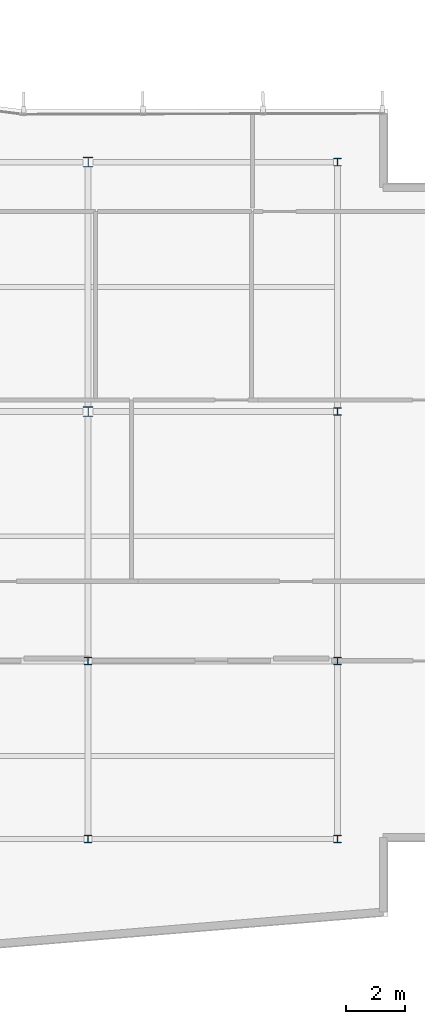
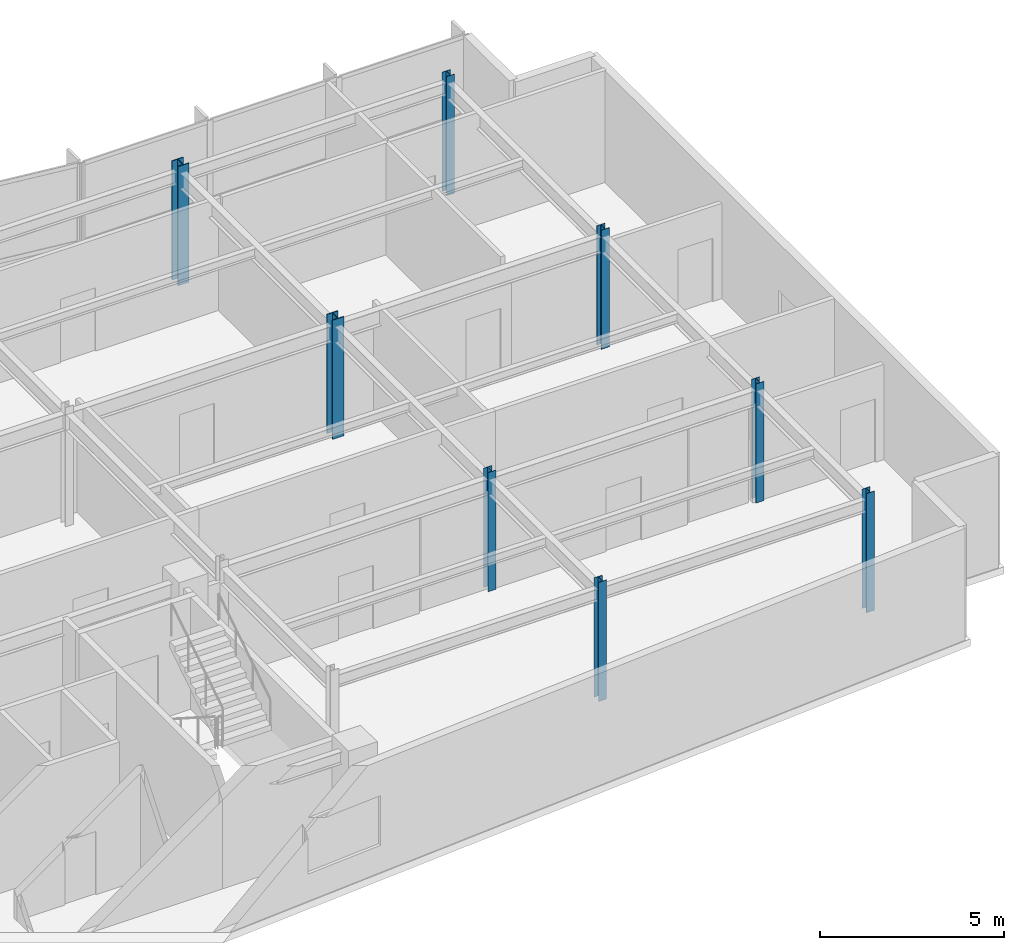
# One storey, part 3 of 15: 8 columns.
"""IFC4 building model written with IfcOpenShell, lengths in metres."""

import ifcopenshell
import ifcopenshell.guid

model = None  # the IFC model being written
_history = None  # IfcOwnerHistory: only IFC2X3 demands one
_inside = {}  # id of a spatial element -> (the spatial element, [elements in it])
_under = {}  # id of a project, library or spatial element -> (it, [spatial elements below it])
_declared = {}  # id of a project -> (the project, [libraries it declares])
_typed = {}  # id of a type object -> (the type object, [elements of that type])
_made_of = {}  # id of a material, layer set ... -> (it, [elements and type objects made of it])


def new_model(schema):
    """Start an empty IFC model of exactly this schema.

    Asked for "IFC4X3", IfcOpenShell would pick the latest addendum, in which some entities
    have other attributes; the version numbers below select the first issue.
    IFC2X3 requires an IfcOwnerHistory on every rooted entity: one is made here for all.
    """
    global model, _history
    if schema == "IFC4X3":
        model = ifcopenshell.file(schema_version=(4, 3, 0, 0))
    else:
        model = ifcopenshell.file(schema=schema)
    _inside.clear()
    _under.clear()
    _declared.clear()
    _typed.clear()
    _made_of.clear()
    _history = None
    if model.schema == "IFC2X3":
        org = make("IfcOrganization", Name="unknown")
        user = make(
            "IfcPersonAndOrganization",
            ThePerson=make("IfcPerson", FamilyName="unknown"),
            TheOrganization=org,
        )
        app = make(
            "IfcApplication",
            ApplicationDeveloper=org,
            Version="unknown",
            ApplicationFullName="unknown",
            ApplicationIdentifier="unknown",
        )
        _history = make(
            "IfcOwnerHistory",
            OwningUser=user,
            OwningApplication=app,
            ChangeAction="ADDED",
            CreationDate=0,
        )
    return model


def make(cls, **values):
    """One entity of the class cls with the attributes given. An attribute that is None is left unset."""
    return model.create_entity(
        cls, **{name: value for name, value in values.items() if value is not None}
    )


def rooted(cls, **values):
    """An entity with a GlobalId (a new one), such as an element, a storey or a relation."""
    return make(cls, GlobalId=ifcopenshell.guid.new(), OwnerHistory=_history, **values)


def si_unit(unit_type, name, prefix=None):
    """IfcSIUnit, for example si_unit("LENGTHUNIT", "METRE", prefix="MILLI")."""
    return make("IfcSIUnit", UnitType=unit_type, Prefix=prefix, Name=name)


def assignment(units):
    """IfcUnitAssignment: the units of a project."""
    return None if units is None else make("IfcUnitAssignment", Units=units)


def point(xyz):
    """IfcCartesianPoint."""
    return None if xyz is None else make("IfcCartesianPoint", Coordinates=xyz)


def direction(xyz):
    """IfcDirection."""
    return None if xyz is None else make("IfcDirection", DirectionRatios=xyz)


def frame(location, z_axis=None, x_axis=None):
    """IfcAxis2Placement3D, a coordinate frame: its origin and axes. An axis left out is left unset."""
    return make(
        "IfcAxis2Placement3D",
        Location=point(location),
        Axis=direction(z_axis),
        RefDirection=direction(x_axis),
    )


def frame_2d(location, x_axis=None):
    """IfcAxis2Placement2D, a coordinate frame in the plane: its origin and x axis."""
    return make(
        "IfcAxis2Placement2D", Location=point(location), RefDirection=direction(x_axis)
    )


def origin():
    """The frame at (0, 0, 0) with its axes left unset."""
    return frame((0.0, 0.0, 0.0))


def origin_2d():
    """The frame at (0, 0) in the plane with its x axis left unset."""
    return frame_2d((0.0, 0.0))


def place(relative_to, where):
    """IfcLocalPlacement: puts the frame where relative to a parent placement (None: the world)."""
    return make(
        "IfcLocalPlacement", PlacementRelTo=relative_to, RelativePlacement=where
    )


def context(
    kind, dimensions, precision=None, world=None, true_north=None, identifier=None
):
    """IfcGeometricRepresentationContext, for example the 3D "Model" context."""
    return make(
        "IfcGeometricRepresentationContext",
        ContextIdentifier=identifier,
        ContextType=kind,
        CoordinateSpaceDimension=dimensions,
        Precision=precision,
        WorldCoordinateSystem=world,
        TrueNorth=true_north,
    )


def subcontext(parent, identifier, kind, view, scale=None):
    """IfcGeometricRepresentationSubContext, for example "Body" below "Model"."""
    return make(
        "IfcGeometricRepresentationSubContext",
        ContextIdentifier=identifier,
        ContextType=kind,
        ParentContext=parent,
        TargetScale=scale,
        TargetView=view,
    )


def project(units=None, contexts=None):
    """IfcProject with its units and contexts."""
    return rooted(
        "IfcProject",
        Name="project",
        RepresentationContexts=contexts,
        UnitsInContext=assignment(units),
    )


def spatial(cls, under=None, at=None, **own):
    """A site, building, storey or space (cls), placed at a placement, below another one or the project."""
    s = rooted(cls, ObjectPlacement=at, **own)
    if under is not None:
        _under.setdefault(under.id(), (under, []))[1].append(s)
    return s


def profile(cls, at=None, kind="AREA", **sizes):
    """A parametric profile (cls). Its sizes go by their IFC names, for example OverallWidth=200.0."""
    return make(cls, ProfileType=kind, Position=at, **sizes)


def i_section(**sizes):
    """IfcIShapeProfileDef."""
    return profile("IfcIShapeProfileDef", **sizes)


def extrude(swept, where, along, depth):
    """IfcExtrudedAreaSolid: the profile swept, set in the frame where, extruded along a direction by depth."""
    return make(
        "IfcExtrudedAreaSolid",
        SweptArea=swept,
        Position=where,
        ExtrudedDirection=direction(along),
        Depth=depth,
    )


def shape(context_of_items, identifier, shape_type, items):
    """IfcShapeRepresentation: the items that make up one representation, for example the "Body"."""
    return make(
        "IfcShapeRepresentation",
        ContextOfItems=context_of_items,
        RepresentationIdentifier=identifier,
        RepresentationType=shape_type,
        Items=items,
    )


def material(Name=None, Category=None):
    """IfcMaterial."""
    return make("IfcMaterial", Name=Name, Category=Category)


def material_profile(
    of_material, cross_section, Name=None, Category=None, Priority=None
):
    """IfcMaterialProfile: a cross section and its material."""
    return make(
        "IfcMaterialProfile",
        Name=Name,
        Material=of_material,
        Profile=cross_section,
        Priority=Priority,
        Category=Category,
    )


def profile_set(profiles, Name=None, composite=None):
    """IfcMaterialProfileSet."""
    return make(
        "IfcMaterialProfileSet",
        Name=Name,
        MaterialProfiles=profiles,
        CompositeProfile=composite,
    )


def made_of(thing, what):
    """Note that an element or type object is made of a material, layer set ...; save() writes the relation."""
    if what is not None:
        _made_of.setdefault(what.id(), (what, []))[1].append(thing)
    return thing


def type_object(cls, material=None, **own):
    """A type object (cls), such as IfcWallType, which elements share."""
    return made_of(rooted(cls, **own), material)


def element(
    cls,
    number,
    at=None,
    inside=None,
    cuts=None,
    type_object=None,
    material=None,
    context=None,
    identifier="Body",
    shape_type=None,
    held_by="IfcProductDefinitionShape",
    body=None,
    shapes=None,
    **own,
):
    """One element of the class cls, such as IfcWall. Its Tag is "e" and its number.

    at: its placement. inside: the storey or other place that contains it. cuts: it is an
    opening in that element (IfcRelVoidsElement). A single representation is given by context,
    identifier, shape_type and body (its items); several are given by shapes. held_by: the class
    of the entity that holds the representations. save() writes the other relations.
    """
    e = rooted(cls, Tag="e%d" % number, ObjectPlacement=at, **own)
    if body is not None:
        shapes = [shape(context, identifier, shape_type, body)]
    if shapes is not None:
        e.Representation = make(held_by, Representations=shapes)
    if inside is not None:
        _inside.setdefault(inside.id(), (inside, []))[1].append(e)
    if cuts is not None:
        rooted(
            "IfcRelVoidsElement", RelatingBuildingElement=cuts, RelatedOpeningElement=e
        )
    if type_object is not None:
        _typed.setdefault(type_object.id(), (type_object, []))[1].append(e)
    return made_of(e, material)


def aggregate(whole, parts):
    """IfcRelAggregates: a whole, such as a stair, and the parts it consists of."""
    return rooted("IfcRelAggregates", RelatingObject=whole, RelatedObjects=parts)


def save(model, path):
    """Write the relations noted so far, then the file.

    IfcRelAggregates (storeys below a building ...), IfcRelContainedInSpatialStructure (elements
    in a storey), IfcRelDefinesByType, IfcRelAssociatesMaterial and IfcRelDeclares: one each for
    every whole, place, type object, material and project.
    """
    for whole, parts in _under.values():
        aggregate(whole, parts)
    for where, things in _inside.values():
        rooted(
            "IfcRelContainedInSpatialStructure",
            RelatedElements=things,
            RelatingStructure=where,
        )
    for kind, things in _typed.values():
        rooted("IfcRelDefinesByType", RelatedObjects=things, RelatingType=kind)
    for what, things in _made_of.values():
        rooted("IfcRelAssociatesMaterial", RelatedObjects=things, RelatingMaterial=what)
    for by, libraries in _declared.values():
        rooted("IfcRelDeclares", RelatingContext=by, RelatedDefinitions=libraries)
    model.write(path)


model = new_model("IFC4")

# Units and contexts
model_context = context("Model", 3, precision=1e-05, world=origin(), true_north=direction((0.0, 1.0)))
body_context = subcontext(model_context, "Body", "Model", "MODEL_VIEW")
ifc_project = project(units=[si_unit("LENGTHUNIT", "METRE"), si_unit("AREAUNIT", "SQUARE_METRE"), si_unit("VOLUMEUNIT", "CUBIC_METRE"), si_unit("PLANEANGLEUNIT", "RADIAN"), si_unit("MASSUNIT", "GRAM", prefix="KILO")], contexts=[model_context])

# Site, building, storey
site_placement = place(None, origin())
site = spatial("IfcSite", under=ifc_project, at=site_placement, CompositionType="ELEMENT")
building_placement = place(site_placement, origin())
building = spatial("IfcBuilding", under=site, at=building_placement, Name="Varnakote Quay Hospital", CompositionType="ELEMENT")
storey_placement = place(building_placement, frame((0.0, 0.0, 244.699951171875)))
storey = spatial("IfcBuildingStorey", under=building, at=storey_placement, Name="L60", CompositionType="ELEMENT", Elevation=244.699951171875)

# Columns
ifc_material_1 = material(Name="Structural steel AS/NZS 3679.1 Grade 350 L0 (fy 340 MPa)", Category="steel")
ifc_material_profile_1 = material_profile(ifc_material_1, i_section(OverallWidth=0.25390625, OverallDepth=0.25390625, WebThickness=0.008544921875, FlangeThickness=0.01416015625, FilletRadius=0.0126953125, at=origin_2d()), Name="250UC72.9")
ifc_profile_set_1 = profile_set([ifc_material_profile_1], Name="Structural steel AS/NZS 3679.1 Grade 350 L0 (fy 340 MPa)")
column_type_1 = type_object("IfcColumnType", Name="COL-STL-250UC72-9", PredefinedType="COLUMN", material=ifc_profile_set_1)
for number, where, z_axis, x_axis, name in (
    (1, (33.60009765625, 6.0, 0.0), (0.0, 0.0, 1.0), (1.0, 0.0, 0.0), "L60 Structural Column C-34-6"),
    (2, (42.0, 6.0, 0.0), (0.0, 0.0, 1.0), (1.0, 0.0, 0.0), "L60 Structural Column C-42-6"),
    (3, (33.60009765625, 12.0, 0.0), (0.0, 0.0, 1.0), (1.0, 0.0, 0.0), "L60 Structural Column C-34-12"),
    (4, (42.0, 12.0, 0.0), (0.0, 0.0, 1.0), (1.0, 0.0, 0.0), "L60 Structural Column C-42-12"),
    (5, (42.0, 20.39990234375, 0.0), (0.0, 0.0, 1.0), (1.0, 0.0, 0.0), "L60 Structural Column C-42-20"),
    (6, (42.0, 28.800048828125, 0.0), (0.0, 0.0, 1.0), (1.0, 0.0, 0.0), "L60 Structural Column C-42-29"),
):
    element("IfcColumn", number, at=place(storey_placement, frame(where, z_axis=z_axis, x_axis=x_axis)), inside=storey, type_object=column_type_1, Name=name, PredefinedType="COLUMN", context=body_context, shape_type="SweptSolid", body=[
        extrude(i_section(OverallWidth=0.25390625, OverallDepth=0.25390625, WebThickness=0.008544921875, FlangeThickness=0.01416015625, FilletRadius=0.0126953125, at=origin_2d()), origin(), (0.0, 0.0, 1.0), 3.949951171875),
    ])
ifc_material_2 = material(Name="Structural steel AS/NZS 3678 Grade 350 (fy 340 MPa)", Category="steel")
ifc_material_profile_2 = material_profile(ifc_material_2, i_section(OverallWidth=0.35009765625, OverallDepth=0.340087890625, WebThickness=0.01611328125, FlangeThickness=0.028076171875, at=origin_2d()), Name="350WC197")
ifc_profile_set_2 = profile_set([ifc_material_profile_2], Name="Structural steel AS/NZS 3678 Grade 350 (fy 340 MPa)")
column_type_2 = type_object("IfcColumnType", Name="COL-STL-350WC197", PredefinedType="COLUMN", material=ifc_profile_set_2)
for number, where, z_axis, x_axis, name in (
    (7, (33.60009765625, 20.39990234375, 0.0), (0.0, 0.0, 1.0), (1.0, 0.0, 0.0), "L60 Structural Column C-34-20"),
    (8, (33.60009765625, 28.800048828125, 0.0), (0.0, 0.0, 1.0), (1.0, 0.0, 0.0), "L60 Structural Column C-34-29"),
):
    element("IfcColumn", number, at=place(storey_placement, frame(where, z_axis=z_axis, x_axis=x_axis)), inside=storey, type_object=column_type_2, Name=name, PredefinedType="COLUMN", context=body_context, shape_type="SweptSolid", body=[
        extrude(i_section(OverallWidth=0.35009765625, OverallDepth=0.340087890625, WebThickness=0.01611328125, FlangeThickness=0.028076171875, at=origin_2d()), origin(), (0.0, 0.0, 1.0), 3.949951171875),
    ])

save(model, "model.ifc")
